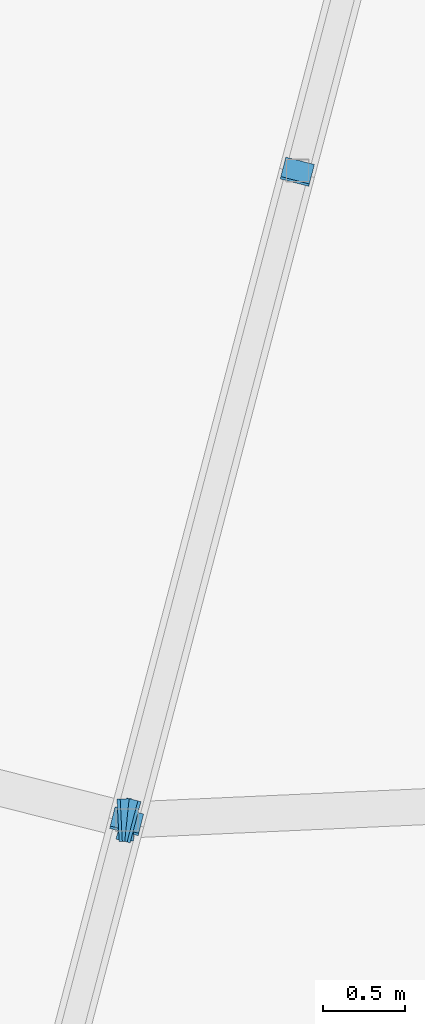
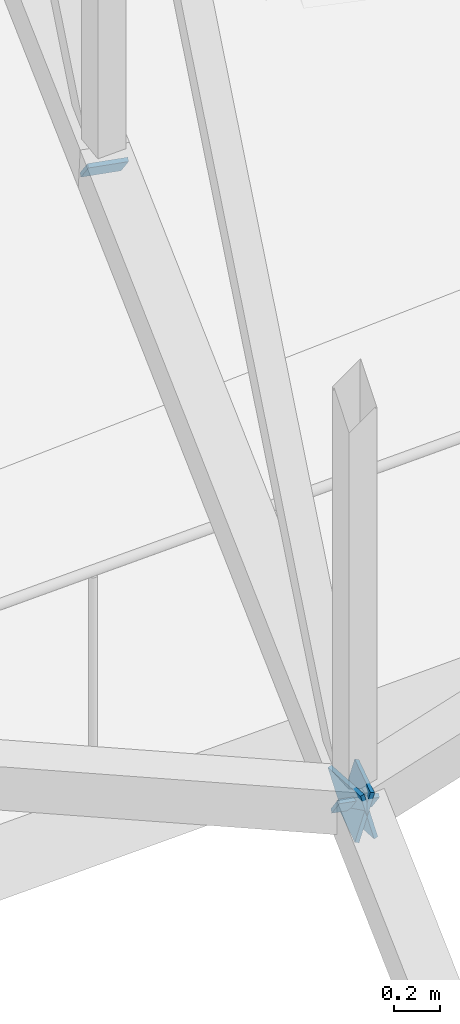
# One storey, part 323 of 344: 4 discrete accessories.
"""IFC4 building model written with IfcOpenShell, lengths in metres."""

from ifc_helpers import new_model, si_unit, direction, frame, origin, origin_2d, place, context, subcontext, project, spatial, rectangle, extrude, material, material_profile, profile_set, type_object, element, save


model = new_model("IFC4")

# Units and contexts
model_context = context("Model", 3, precision=1e-05, world=origin(), true_north=direction((0.0, 1.0)))
body_context = subcontext(model_context, "Body", "Model", "MODEL_VIEW")
ifc_project = project(units=[si_unit("LENGTHUNIT", "METRE"), si_unit("AREAUNIT", "SQUARE_METRE"), si_unit("VOLUMEUNIT", "CUBIC_METRE"), si_unit("PLANEANGLEUNIT", "RADIAN"), si_unit("MASSUNIT", "GRAM", prefix="KILO")], contexts=[model_context])

# Site, building, storey
site_placement = place(None, origin())
site = spatial("IfcSite", under=ifc_project, at=site_placement, CompositionType="ELEMENT")
building_placement = place(site_placement, origin())
building = spatial("IfcBuilding", under=site, at=building_placement, Name="Meseta Stadium", CompositionType="ELEMENT")
storey_placement = place(building_placement, frame((0.0, 0.0, 24.0)))
storey = spatial("IfcBuildingStorey", under=building, at=storey_placement, Name="L04", CompositionType="ELEMENT", Elevation=24.0)

# Discrete accessories
ifc_material_1 = material(Name="Steel S355", Category="steel")
ifc_material_profile_1 = material_profile(ifc_material_1, rectangle(XDim=0.179931640625, YDim=0.179931640625, at=origin_2d()), Name="PL 180x180")
ifc_profile_set_1 = profile_set([ifc_material_profile_1], Name="Steel S355")
discrete_accessory_type_1 = type_object("IfcDiscreteAccessoryType", Name="End plate 180x180x20", PredefinedType="ANCHORPLATE", material=ifc_profile_set_1)
discrete_accessory_1_placement = place(storey_placement, frame((18.559326171875, 81.7021484375, 4.086669921875), z_axis=(0.181342552396, 0.713280706092, 0.677012195612), x_axis=(-0.969168531094, 0.246398779092, 0.0)))
element("IfcDiscreteAccessory", 1, at=discrete_accessory_1_placement, inside=storey, type_object=discrete_accessory_type_1, Name="End plate of ROOF TRUSS RT-17 diagonal", PredefinedType="ANCHORPLATE", context=body_context, shape_type="SweptSolid", body=[
    extrude(rectangle(XDim=0.179931640625, YDim=0.179931640625, at=origin_2d()), origin(), (0.0, 0.0, 1.0), 0.020263671875),
])
discrete_accessory_2_placement = place(storey_placement, frame((19.6025390625, 85.672119140625, 4.660400390625), z_axis=(0.182913228255, 0.707264482586, 0.682876052152), x_axis=(-0.968146911612, 0.250382821969, 0.0)))
element("IfcDiscreteAccessory", 2, at=discrete_accessory_2_placement, inside=storey, type_object=discrete_accessory_type_1, Name="End plate of ROOF TRUSS RT-17 diagonal", PredefinedType="ANCHORPLATE", context=body_context, shape_type="SweptSolid", body=[
    extrude(rectangle(XDim=0.179931640625, YDim=0.179931640625, at=origin_2d()), origin(), (0.0, 0.0, 1.0), 0.02001953125),
])
ifc_material_2 = material(Name="Steel S355", Category="steel")
ifc_material_profile_2 = material_profile(ifc_material_2, rectangle(XDim=0.260009765625, YDim=0.260009765625, at=origin_2d()), Name="PL 260x260")
ifc_profile_set_2 = profile_set([ifc_material_profile_2], Name="Steel S355")
discrete_accessory_type_2 = type_object("IfcDiscreteAccessoryType", Name="End plate 260x260x20", PredefinedType="ANCHORPLATE", material=ifc_profile_set_2)
for number, where, z_axis, x_axis, name in (
    (3, (18.56298828125, 81.716552734375, 4.100341796875), (-0.962199058735, -0.048718939683, -0.267954168255), (0.050568132333, -0.998720613581, 0.0), "End plate of ROOF TRUSS STRUT RT-16/17"),
    (4, (18.58154296875, 81.711669921875, 4.094970703125), (-0.931271854652, 0.245071540698, 0.269578694768), (-0.25449329928, -0.967074537263, 0.0), "End plate of ROOF TRUSS STRUT RT-17/18"),
):
    element("IfcDiscreteAccessory", number, at=place(storey_placement, frame(where, z_axis=z_axis, x_axis=x_axis)), inside=storey, type_object=discrete_accessory_type_2, Name=name, PredefinedType="ANCHORPLATE", context=body_context, shape_type="SweptSolid", body=[
        extrude(rectangle(XDim=0.260009765625, YDim=0.260009765625, at=origin_2d()), origin(), (0.0, 0.0, 1.0), 0.02001953125),
    ])

save(model, "model.ifc")
